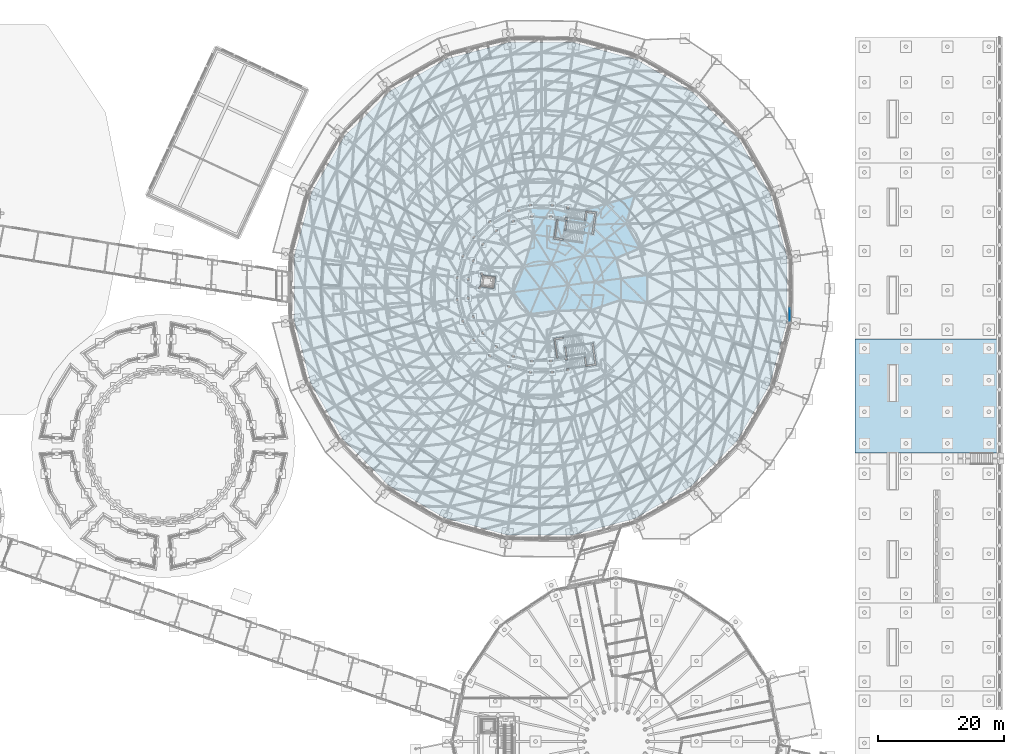
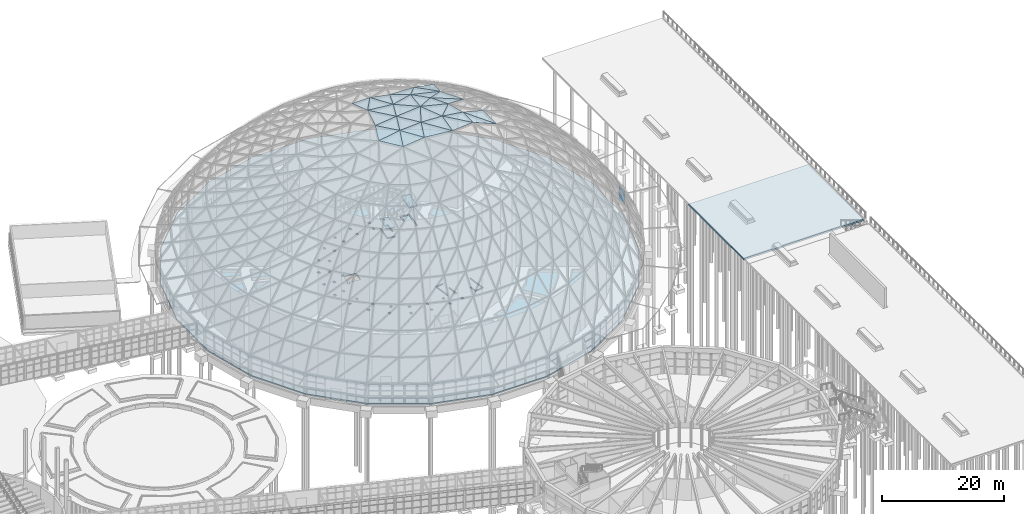
# One storey, part 150 of 226: 34 plates, 4 slabs, 2 elements without a shape of their own.
"""IFC4 building model written with IfcOpenShell, lengths in metres."""

from ifc_helpers import new_model, si_unit, direction, frame, origin, origin_2d, place, context, subcontext, project, spatial, polyline, rectangle, outline, extrude, material, layer, layer_set, type_object, element, aggregate, save


model = new_model("IFC4")

# Units and contexts
model_context = context("Model", 3, precision=1e-05, world=origin(), true_north=direction((0.0, 1.0)))
body_context = subcontext(model_context, "Body", "Model", "MODEL_VIEW")
ifc_project = project(units=[si_unit("LENGTHUNIT", "METRE"), si_unit("AREAUNIT", "SQUARE_METRE"), si_unit("VOLUMEUNIT", "CUBIC_METRE"), si_unit("PLANEANGLEUNIT", "RADIAN"), si_unit("MASSUNIT", "GRAM", prefix="KILO")], contexts=[model_context])

# Site, building, storey
site_placement = place(None, origin())
site = spatial("IfcSite", under=ifc_project, at=site_placement, CompositionType="ELEMENT")
building_placement = place(site_placement, origin())
building = spatial("IfcBuilding", under=site, at=building_placement, Name="Ceibo Conservatory and Research Tower", CompositionType="ELEMENT")
storey_placement = place(building_placement, origin())
storey = spatial("IfcBuildingStorey", under=building, at=storey_placement, Name="L00", CompositionType="ELEMENT", Elevation=0.0)

# Curtain wall, plates
ifc_material_1 = material(Name="Aluminium and glass", Category="aluminium")
curtain_wall_type = type_object("IfcCurtainWallType", Name="Drum curtain wall", PredefinedType="NOTDEFINED", material=ifc_material_1)
curtain_wall_placement = place(storey_placement, origin())
curtain_wall = element("IfcCurtainWall", 1, at=curtain_wall_placement, inside=storey, type_object=curtain_wall_type, Name="Drum curtain wall A-CW24", PredefinedType="NOTDEFINED")
ifc_material_2 = material(Name="Laminated glass", Category="glass")
ifc_layer_1 = layer(ifc_material_2, 0.028076171875)
ifc_layer_set_1 = layer_set([ifc_layer_1], Name="Laminated glass")
plate_type_1 = type_object("IfcPlateType", Name="Drum glass 28", PredefinedType="CURTAIN_PANEL", material=ifc_layer_set_1)
plate_1_placement = place(storey_placement, frame((195.639892578125, 103.82763671875, 1.56005859375), z_axis=(0.0, 0.0, 1.0), x_axis=(0.004363300488, 0.999990480759, 0.0)))
plate_1 = element("IfcPlate", 2, at=plate_1_placement, type_object=plate_type_1, Name="A-CW24 panel 1.2", PredefinedType="CURTAIN_PANEL", context=body_context, shape_type="SweptSolid", body=[
    extrude(rectangle(XDim=1.917236328125, YDim=0.028076171875, at=origin_2d()), origin(), (0.0, 0.0, 1.0), 1.425048828125),
])
plate_2_placement = place(storey_placement, frame((195.639892578125, 103.82763671875, 3.044921875), z_axis=(0.0, 0.0, 1.0), x_axis=(0.004363300488, 0.999990480759, 0.0)))
plate_2 = element("IfcPlate", 3, at=plate_2_placement, type_object=plate_type_1, Name="A-CW24 panel 1.3", PredefinedType="CURTAIN_PANEL", context=body_context, shape_type="SweptSolid", body=[
    extrude(rectangle(XDim=1.917236328125, YDim=0.028076171875, at=origin_2d()), origin(), (0.0, 0.0, 1.0), 1.233154296875),
])
aggregate(curtain_wall, [plate_1, plate_2])

# Plates
ifc_layer_2 = layer(ifc_material_2, 0.035888671875)
ifc_layer_set_2 = layer_set([ifc_layer_2], Name="Laminated glass")
plate_type_2 = type_object("IfcPlateType", Name="Gridshell roof glass 36", PredefinedType="SHEET", material=ifc_layer_set_2)
plate_3_placement = place(storey_placement, frame((169.621826171875, 118.358154296875, 23.970458984375), z_axis=(0.280574696783, 0.278177914319, 0.918637516929), x_axis=(0.272270859832, 0.894701250833, -0.354087913722)))
element("IfcPlate", 4, at=plate_3_placement, inside=storey, type_object=plate_type_2, Name="Glass panel A-P07-009", PredefinedType="SHEET", context=body_context, shape_type="SweptSolid", body=[
    extrude(outline(polyline([(0.0, 0.0), (5.033977817517217, 2.7755575615628914e-16), (1.9819537514928032, 4.0035523826701045), (0.0, 0.0)])), origin(), (0.0, 0.0, -1.0), 0.035888671875),
])
plate_4_placement = place(storey_placement, frame((171.838134765625, 114.47998046875, 23.970458984375), z_axis=(0.280222225681, 0.160142106688, 0.946482968626), x_axis=(-0.496174254635, 0.868222960441, 0.0)))
element("IfcPlate", 5, at=plate_4_placement, inside=storey, type_object=plate_type_2, Name="Glass panel A-P08-003", PredefinedType="SHEET", context=body_context, shape_type="SweptSolid", body=[
    extrude(outline(polyline([(0.0, 0.0), (4.4667948267055895, 0.0), (3.9257333306844853, 4.343421019620243), (0.0, 0.0)])), origin(), (0.0, 0.0, -1.0), 0.035888671875),
])
plate_5_placement = place(storey_placement, frame((171.838134765625, 114.47998046875, 23.970458984375), z_axis=(0.280226818783, 0.160166188226, 0.946477533903), x_axis=(-0.942346514413, 0.233772659519, 0.239443919186)))
element("IfcPlate", 6, at=plate_5_placement, inside=storey, type_object=plate_type_2, Name="Glass panel A-P08-004", PredefinedType="SHEET", context=body_context, shape_type="SweptSolid", body=[
    extrude(outline(polyline([(0.0, 0.0), (5.854629649886153, 0.0), (3.5844452227327084, 2.511450265825249), (0.0, 0.0)])), origin(), (0.0, 0.0, -1.0), 0.035888671875),
])
plate_6_placement = place(storey_placement, frame((169.621826171875, 118.358154296875, 23.970458984375), z_axis=(0.229185552401, 0.227227756778, 0.946489053883), x_axis=(-0.704067152629, 0.710133399151, 0.0)))
element("IfcPlate", 7, at=plate_6_placement, inside=storey, type_object=plate_type_2, Name="Glass panel A-P08-005", PredefinedType="SHEET", context=body_context, shape_type="SweptSolid", body=[
    extrude(outline(polyline([(0.0, 0.0), (4.467277957978424, 0.0), (3.9262131880664084, 4.343661189431718), (0.0, 0.0)])), origin(), (0.0, 0.0, -1.0), 0.035888671875),
])
plate_7_placement = place(storey_placement, frame((169.621826171875, 118.358154296875, 23.970458984375), z_axis=(0.229182227726, 0.227272957923, 0.946479006155), x_axis=(-0.970745019789, -0.018179838866, 0.239423474233)))
element("IfcPlate", 8, at=plate_7_placement, inside=storey, type_object=plate_type_2, Name="Glass panel A-P08-006", PredefinedType="SHEET", context=body_context, shape_type="SweptSolid", body=[
    extrude(outline(polyline([(0.0, 0.0), (5.855129590941772, 0.0), (3.58547676276656, 2.5104601330864784), (0.0, 0.0)])), origin(), (0.0, 0.0, -1.0), 0.035888671875),
])
plate_8_placement = place(storey_placement, frame((166.4765625, 121.530517578125, 23.970458984375), z_axis=(0.162573652914, 0.27880077906, 0.946488210689), x_axis=(-0.93297049984, -0.268778897965, 0.239424206037)))
element("IfcPlate", 9, at=plate_8_placement, inside=storey, type_object=plate_type_2, Name="Glass panel A-P08-008", PredefinedType="SHEET", context=body_context, shape_type="SweptSolid", body=[
    extrude(outline(polyline([(0.0, 0.0), (5.8551116946469035, -3.3306690738754696e-16), (3.5853275507998097, 2.511089398506384), (0.0, 0.0)])), origin(), (0.0, 0.0, -1.0), 0.035888671875),
])
plate_9_placement = place(storey_placement, frame((172.955810546875, 105.6923828125, 23.970458984375), z_axis=(0.322756351752, -0.001446309681, 0.946480980048), x_axis=(0.004481074196, 0.999989959937, 0.0)))
element("IfcPlate", 10, at=plate_9_placement, inside=storey, type_object=plate_type_2, Name="Glass panel A-P08-047", PredefinedType="SHEET", context=body_context, shape_type="SweptSolid", body=[
    extrude(outline(polyline([(0.0, 0.0), (4.467574151602624, 0.0), (3.9249775739560993, 4.343342544376458), (0.0, 0.0)])), origin(), (0.0, 0.0, -1.0), 0.035888671875),
])
plate_10_placement = place(storey_placement, frame((172.955810546875, 105.6923828125, 23.970458984375), z_axis=(0.322778631304, -0.001420496105, 0.946473421373), x_axis=(-0.699217028571, 0.673610488219, 0.239467027201)))
element("IfcPlate", 11, at=plate_10_placement, inside=storey, type_object=plate_type_2, Name="Glass panel A-P08-048", PredefinedType="SHEET", context=body_context, shape_type="SweptSolid", body=[
    extrude(outline(polyline([(0.0, 0.0), (5.85406469163511, 1.1102230246251565e-16), (3.58495757775191, 2.51058865895238), (0.0, 0.0)])), origin(), (0.0, 0.0, -1.0), 0.035888671875),
])
plate_11_placement = place(storey_placement, frame((164.637939453125, 109.0986328125, 26.382568359375), z_axis=(0.232700869188, -0.001024078567, 0.972547817201), x_axis=(0.812461035575, -0.549446623896, -0.194975570679)))
element("IfcPlate", 12, at=plate_11_placement, inside=storey, type_object=plate_type_2, Name="Glass panel A-P09-001", PredefinedType="SHEET", context=body_context, shape_type="SweptSolid", body=[
    extrude(outline(polyline([(0.0, 0.0), (5.1814383860208935, 1.6653345369377348e-16), (3.3341924068572713, 2.8354161601428967), (0.0, 0.0)])), origin(), (0.0, 0.0, -1.0), 0.035888671875),
])
plate_12_placement = place(storey_placement, frame((164.637939453125, 109.0986328125, 26.382568359375), z_axis=(0.225040671261, 0.059226529113, 0.972547641264), x_axis=(0.965226729685, 0.122717221758, -0.230819938016)))
element("IfcPlate", 13, at=plate_12_placement, inside=storey, type_object=plate_type_2, Name="Glass panel A-P09-002", PredefinedType="SHEET", context=body_context, shape_type="SweptSolid", body=[
    extrude(outline(polyline([(0.0, 0.0), (4.376805205528819, -2.42861286636753e-17), (3.946929741051306, 3.3577530192227703), (0.0, 0.0)])), origin(), (0.0, 0.0, -1.0), 0.035888671875),
])
plate_13_placement = place(storey_placement, frame((164.637939453125, 109.0986328125, 26.382568359375), z_axis=(0.200378975737, 0.081980678663, 0.976282456264), x_axis=(0.648988792081, 0.735394994961, -0.194955762006)))
element("IfcPlate", 14, at=plate_13_placement, inside=storey, type_object=plate_type_2, Name="Glass panel A-P09-003", PredefinedType="SHEET", context=body_context, shape_type="SweptSolid", body=[
    extrude(outline(polyline([(0.0, 0.0), (5.1819648511828955, -5.551115123125783e-17), (1.9604909252094407, 4.059439169561636), (0.0, 0.0)])), origin(), (0.0, 0.0, -1.0), 0.035888671875),
])
plate_14_placement = place(storey_placement, frame((162.930908203125, 113.27099609375, 26.382568359375), z_axis=(0.202023436168, 0.115468333273, 0.972550047684), x_axis=(0.978330392526, -0.069769697661, -0.194940586713)))
element("IfcPlate", 15, at=plate_14_placement, inside=storey, type_object=plate_type_2, Name="Glass panel A-P09-004", PredefinedType="SHEET", context=body_context, shape_type="SweptSolid", body=[
    extrude(outline(polyline([(0.0, 0.0), (5.182368245030267, 8.326672684688674e-17), (3.333772341437619, 2.836161659042764), (0.0, 0.0)])), origin(), (0.0, 0.0, -1.0), 0.035888671875),
])
plate_15_placement = place(storey_placement, frame((162.930908203125, 113.27099609375, 26.382568359375), z_axis=(0.165232239754, 0.163855724092, 0.97254799811), x_axis=(0.774539940036, 0.588909166563, -0.230811340333)))
element("IfcPlate", 16, at=plate_15_placement, inside=storey, type_object=plate_type_2, Name="Glass panel A-P09-005", PredefinedType="SHEET", context=body_context, shape_type="SweptSolid", body=[
    extrude(outline(polyline([(0.0, 0.0), (4.376968240775648, 4.163336342344337e-16), (3.9463892788109454, 3.35683419277356), (0.0, 0.0)])), origin(), (0.0, 0.0, -1.0), 0.035888671875),
])
plate_16_placement = place(storey_placement, frame((162.930908203125, 113.27099609375, 26.382568359375), z_axis=(0.132529555833, 0.171224573506, 0.976277656335), x_axis=(0.194381060272, 0.961349820756, -0.194993655129)))
element("IfcPlate", 17, at=plate_16_placement, inside=storey, type_object=plate_type_2, Name="Glass panel A-P09-006", PredefinedType="SHEET", context=body_context, shape_type="SweptSolid", body=[
    extrude(outline(polyline([(0.0, 0.0), (5.1809578397906, 1.3877787807814457e-16), (1.9591594010891797, 4.058707914424515), (0.0, 0.0)])), origin(), (0.0, 0.0, -1.0), 0.035888671875),
])
plate_17_placement = place(storey_placement, frame((159.366943359375, 116.029541015625, 26.382568359375), z_axis=(0.117219514593, 0.201022068481, 0.972548051966), x_axis=(0.882100999692, 0.428824616738, -0.194954544503)))
element("IfcPlate", 18, at=plate_17_placement, inside=storey, type_object=plate_type_2, Name="Glass panel A-P09-007", PredefinedType="SHEET", context=body_context, shape_type="SweptSolid", body=[
    extrude(outline(polyline([(0.0, 0.0), (5.18199721287373, -2.7755575615628914e-17), (3.3338496176575814, 2.8358139031409664), (0.0, 0.0)])), origin(), (0.0, 0.0, -1.0), 0.035888671875),
])
plate_18_placement = place(storey_placement, frame((159.366943359375, 116.029541015625, 26.382568359375), z_axis=(0.061243232273, 0.224496978591, 0.972548391138), x_axis=(0.376295921406, 0.897286716829, -0.230820119)))
element("IfcPlate", 19, at=plate_18_placement, inside=storey, type_object=plate_type_2, Name="Glass panel A-P09-008", PredefinedType="SHEET", context=body_context, shape_type="SweptSolid", body=[
    extrude(outline(polyline([(0.0, 0.0), (4.376801773715963, 1.942890293094024e-16), (3.947325451691779, 3.357603990223312), (0.0, 0.0)])), origin(), (0.0, 0.0, -1.0), 0.035888671875),
])
plate_19_placement = place(storey_placement, frame((159.366943359375, 116.029541015625, 26.382568359375), z_axis=(0.029227129669, 0.214523847824, 0.976281359858), x_axis=(-0.312350316208, 0.929748641081, -0.194948055576)))
element("IfcPlate", 20, at=plate_19_placement, inside=storey, type_object=plate_type_2, Name="Glass panel A-P09-009", PredefinedType="SHEET", context=body_context, shape_type="SweptSolid", body=[
    extrude(outline(polyline([(0.0, 0.0), (5.182169697794277, -4.163336342344337e-16), (1.9604817498378337, 4.058082122644022), (0.0, 0.0)])), origin(), (0.0, 0.0, -1.0), 0.035888671875),
])
plate_20_placement = place(storey_placement, frame((154.9013671875, 116.637939453125, 26.382568359375), z_axis=(0.001024078567, 0.232700869188, 0.972547817201), x_axis=(0.549446623896, 0.812461035575, -0.194975570679)))
element("IfcPlate", 21, at=plate_20_placement, inside=storey, type_object=plate_type_2, Name="Glass panel A-P09-010", PredefinedType="SHEET", context=body_context, shape_type="SweptSolid", body=[
    extrude(outline(polyline([(0.0, 0.0), (5.1814383860208935, 1.6653345369377348e-16), (3.3341924068572713, 2.8354161601428967), (0.0, 0.0)])), origin(), (0.0, 0.0, -1.0), 0.035888671875),
])
plate_21_placement = place(storey_placement, frame((164.029541015625, 104.633056640625, 26.382568359375), z_axis=(0.214523847824, -0.029227129669, 0.976281359858), x_axis=(0.929748641081, 0.312350316208, -0.194948055576)))
element("IfcPlate", 22, at=plate_21_placement, inside=storey, type_object=plate_type_2, Name="Glass panel A-P09-036", PredefinedType="SHEET", context=body_context, shape_type="SweptSolid", body=[
    extrude(outline(polyline([(0.0, 0.0), (5.182169697794277, -4.163336342344337e-16), (1.9604817498378337, 4.058082122644022), (0.0, 0.0)])), origin(), (0.0, 0.0, -1.0), 0.035888671875),
])
plate_22_placement = place(storey_placement, frame((160.337158203125, 108.55126953125, 26.9921875), z_axis=(0.142742651212, -0.019447525385, 0.989568759249), x_axis=(0.681468159821, -0.723147480624, -0.112511636807)))
element("IfcPlate", 23, at=plate_22_placement, inside=storey, type_object=plate_type_2, Name="Glass panel A-P10-001", PredefinedType="SHEET", context=body_context, shape_type="SweptSolid", body=[
    extrude(outline(polyline([(0.0, 0.0), (5.41827634833456, 6.245004513516506e-16), (2.6036103537476896, 3.5198259253103026), (0.0, 0.0)])), origin(), (0.0, 0.0, -1.0), 0.035888671875),
])
plate_23_placement = place(storey_placement, frame((160.337158203125, 108.55126953125, 26.9921875), z_axis=(0.13332547823, 0.054547205605, 0.989570067866), x_axis=(0.982334485209, 0.125022361253, -0.139242121342)))
element("IfcPlate", 24, at=plate_23_placement, inside=storey, type_object=plate_type_2, Name="Glass panel A-P10-002", PredefinedType="SHEET", context=body_context, shape_type="SweptSolid", body=[
    extrude(outline(polyline([(0.0, 0.0), (4.3781230474518065, 1.457167719820518e-16), (3.2228860926759895, 4.3575220730961455), (0.0, 0.0)])), origin(), (0.0, 0.0, -1.0), 0.035888671875),
])
plate_24_placement = place(storey_placement, frame((160.337158203125, 108.55126953125, 26.9921875), z_axis=(0.097865829113, 0.074401645337, 0.992414567942), x_axis=(0.478563118058, 0.870819107521, -0.112478549114)))
element("IfcPlate", 25, at=plate_24_placement, inside=storey, type_object=plate_type_2, Name="Glass panel A-P10-003", PredefinedType="SHEET", context=body_context, shape_type="SweptSolid", body=[
    extrude(outline(polyline([(0.0, 0.0), (5.419870236812357, -2.706168622523819e-16), (1.76458254963443, 4.000150806331241), (0.0, 0.0)])), origin(), (0.0, 0.0, -1.0), 0.035888671875),
])
plate_25_placement = place(storey_placement, frame((157.691162109375, 112.03173828125, 26.9921875), z_axis=(0.08818500926, 0.113932628125, 0.989566955991), x_axis=(0.966974343597, 0.228700110339, -0.112502792655)))
element("IfcPlate", 26, at=plate_25_placement, inside=storey, type_object=plate_type_2, Name="Glass panel A-P10-004", PredefinedType="SHEET", context=body_context, shape_type="SweptSolid", body=[
    extrude(outline(polyline([(0.0, 0.0), (5.418702293854778, 2.8449465006019636e-16), (2.6033192564739007, 3.5192376797136538), (0.0, 0.0)])), origin(), (0.0, 0.0, -1.0), 0.035888671875),
])
plate_26_placement = place(storey_placement, frame((157.691162109375, 112.03173828125, 26.9921875), z_axis=(0.019447945154, 0.142745732271, 0.98956830656), x_axis=(0.382818972003, 0.913266414124, -0.139262670905)))
element("IfcPlate", 27, at=plate_26_placement, inside=storey, type_object=plate_type_2, Name="Glass panel A-P10-005", PredefinedType="SHEET", context=body_context, shape_type="SweptSolid", body=[
    extrude(outline(polyline([(0.0, 0.0), (4.377477012783066, 3.157196726277789e-16), (3.2235995926394914, 4.356614064253687), (0.0, 0.0)])), origin(), (0.0, 0.0, -1.0), 0.035888671875),
])
plate_27_placement = place(storey_placement, frame((157.691162109375, 112.03173828125, 26.9921875), z_axis=(-0.015500980668, 0.121955235418, 0.992414550555), x_axis=(-0.514763662489, 0.849920890888, -0.112484892381)))
element("IfcPlate", 28, at=plate_27_placement, inside=storey, type_object=plate_type_2, Name="Glass panel A-P10-006", PredefinedType="SHEET", context=body_context, shape_type="SweptSolid", body=[
    extrude(outline(polyline([(0.0, 0.0), (5.419564598611084, 4.0939474033052647e-16), (1.7640759503141719, 4.000359410920752), (0.0, 0.0)])), origin(), (0.0, 0.0, -1.0), 0.035888671875),
])
plate_28_placement = place(storey_placement, frame((158.64599609375, 104.51953125, 26.9921875), z_axis=(0.113381222488, -0.047559145463, 0.992412628935), x_axis=(0.993431581636, 0.020948967641, -0.112493703657)))
element("IfcPlate", 29, at=plate_28_placement, inside=storey, type_object=plate_type_2, Name="Glass panel A-P10-018", PredefinedType="SHEET", context=body_context, shape_type="SweptSolid", body=[
    extrude(outline(polyline([(0.0, 0.0), (5.419140101231839, -2.42861286636753e-17), (1.7645146039122093, 4.000178878658171), (0.0, 0.0)])), origin(), (0.0, 0.0, -1.0), 0.035888671875),
])
plate_29_placement = place(storey_placement, frame((160.337158203125, 108.55126953125, 26.9921875), z_axis=(0.042798913115, 0.032537501427, 0.998553736179), x_axis=(-0.60520502334, 0.796069645021, 0.0)))
element("IfcPlate", 30, at=plate_29_placement, inside=storey, type_object=plate_type_2, Name="Glass panel A-P11-001", PredefinedType="SHEET", context=body_context, shape_type="SweptSolid", body=[
    extrude(outline(polyline([(0.0, 0.0), (4.372065649995071, 0.0), (2.1860209914991833, 3.791795016637572), (0.0, 0.0)])), origin(), (0.0, 0.0, -1.0), 0.035888671875),
])
plate_30_placement = place(storey_placement, frame((157.691162109375, 112.03173828125, 26.9921875), z_axis=(-0.006778896372, 0.053333522609, 0.998553745138), x_axis=(-0.992018879348, -0.126089424687, 0.0)))
element("IfcPlate", 31, at=plate_30_placement, inside=storey, type_object=plate_type_2, Name="Glass panel A-P11-002", PredefinedType="SHEET", context=body_context, shape_type="SweptSolid", body=[
    extrude(outline(polyline([(0.0, 0.0), (4.37205207826017, 0.0), (2.1860243009092057, 3.7918067531152415), (0.0, 0.0)])), origin(), (0.0, 0.0, -1.0), 0.035888671875),
])
plate_31_placement = place(storey_placement, frame((153.35400390625, 111.48046875, 26.9921875), z_axis=(-0.049577809483, 0.020796020727, 0.998553737327), x_axis=(-0.386810930375, -0.922159044928, 0.0)))
element("IfcPlate", 32, at=plate_31_placement, inside=storey, type_object=plate_type_2, Name="Glass panel A-P11-003", PredefinedType="SHEET", context=body_context, shape_type="SweptSolid", body=[
    extrude(outline(polyline([(0.0, 0.0), (4.372063911779242, 0.0), (2.1860455276088526, 3.7917965197966095), (0.0, 0.0)])), origin(), (0.0, 0.0, -1.0), 0.035888671875),
])
plate_32_placement = place(storey_placement, frame((151.662841796875, 107.44873046875, 26.9921875), z_axis=(-0.042798913115, -0.032537501427, 0.998553736179), x_axis=(0.60520502334, -0.796069645021, 0.0)))
element("IfcPlate", 33, at=plate_32_placement, inside=storey, type_object=plate_type_2, Name="Glass panel A-P11-004", PredefinedType="SHEET", context=body_context, shape_type="SweptSolid", body=[
    extrude(outline(polyline([(0.0, 0.0), (4.372065649995071, 0.0), (2.1860209914991833, 3.791795016637572), (0.0, 0.0)])), origin(), (0.0, 0.0, -1.0), 0.035888671875),
])
plate_33_placement = place(storey_placement, frame((154.308837890625, 103.96826171875, 26.9921875), z_axis=(0.006778896372, -0.053333522609, 0.998553745138), x_axis=(0.992018879348, 0.126089424687, 0.0)))
element("IfcPlate", 34, at=plate_33_placement, inside=storey, type_object=plate_type_2, Name="Glass panel A-P11-005", PredefinedType="SHEET", context=body_context, shape_type="SweptSolid", body=[
    extrude(outline(polyline([(0.0, 0.0), (4.37205207826017, 0.0), (2.1860243009092057, 3.7918067531152415), (0.0, 0.0)])), origin(), (0.0, 0.0, -1.0), 0.035888671875),
])
plate_34_placement = place(storey_placement, frame((158.64599609375, 104.51953125, 26.9921875), z_axis=(0.049577809483, -0.020796020727, 0.998553737327), x_axis=(0.386810930375, 0.922159044928, 0.0)))
element("IfcPlate", 35, at=plate_34_placement, inside=storey, type_object=plate_type_2, Name="Glass panel A-P11-006", PredefinedType="SHEET", context=body_context, shape_type="SweptSolid", body=[
    extrude(outline(polyline([(0.0, 0.0), (4.372063911779242, 0.0), (2.1860455276088526, 3.7917965197966095), (0.0, 0.0)])), origin(), (0.0, 0.0, -1.0), 0.035888671875),
])

# Slabs
ifc_material_3 = material(Name="Concrete C35/45", Category="concrete")
ifc_layer_3 = layer(ifc_material_3, 0.25)
ifc_layer_set_3 = layer_set([ifc_layer_3], Name="Concrete C35/45")
slab_type_1 = type_object("IfcSlabType", Name="RC ground slab 250", PredefinedType="BASESLAB", material=ifc_layer_set_3)
slab_1_placement = place(storey_placement, frame((0.0, 0.0, -0.25)))
element("IfcSlab", 36, at=slab_1_placement, inside=storey, type_object=slab_type_1, Name="Conservatory ground slab A", PredefinedType="BASESLAB", context=body_context, shape_type="SweptSolid", body=[
    extrude(outline(polyline([(195.135009765625, 102.674072265625), (195.179931640625, 112.984375), (192.554931640625, 122.955078125), (187.438720703125, 131.906494140625), (180.179931640625, 139.228759765625), (171.2734375, 144.4228515625), (161.325927734375, 147.135009765625), (151.015625, 147.179931640625), (141.044921875, 144.554931640625), (132.093505859375, 139.438720703125), (124.771240234375, 132.179931640625), (119.5771484375, 123.2734375), (116.864990234375, 113.325927734375), (116.820068359375, 103.015625), (119.445068359375, 93.044921875), (124.561279296875, 84.093505859375), (131.820068359375, 76.771240234375), (140.7265625, 71.5771484375), (150.674072265625, 68.864990234375), (160.984375, 68.820068359375), (170.955078125, 71.445068359375), (179.906494140625, 76.561279296875), (187.228759765625, 83.820068359375), (192.4228515625, 92.7265625), (195.135009765625, 102.674072265625)]), holes=[polyline([(145.196533203125, 99.60693359375), (145.196533203125, 100.007080078125), (145.596435546875, 100.007080078125), (145.596435546875, 99.60693359375), (145.196533203125, 99.60693359375)]), polyline([(146.620849609375, 100.70751953125), (146.620849609375, 101.107421875), (147.020751953125, 101.107421875), (147.020751953125, 100.70751953125), (146.620849609375, 100.70751953125)]), polyline([(143.430419921875, 102.647216796875), (143.430419921875, 103.047119140625), (143.830322265625, 103.047119140625), (143.830322265625, 102.647216796875), (143.430419921875, 102.647216796875)]), polyline([(145.092041015625, 103.7392578125), (145.491943359375, 103.7392578125), (145.491943359375, 103.33935546875), (145.092041015625, 103.33935546875), (145.092041015625, 103.7392578125)]), polyline([(142.515869140625, 106.442138671875), (142.915771484375, 106.442138671875), (142.915771484375, 106.0419921875), (142.515869140625, 106.0419921875), (142.515869140625, 106.442138671875)]), polyline([(144.30029296875, 106.278076171875), (144.30029296875, 106.67822265625), (144.7001953125, 106.67822265625), (144.7001953125, 106.278076171875), (144.30029296875, 106.278076171875)]), polyline([(146.132080078125, 107.91943359375), (146.132080078125, 108.3193359375), (146.408935546875, 108.3193359375), (146.6572265625, 110.194580078125), (148.838134765625, 109.906005859375), (148.5888671875, 108.0224609375), (146.531982421875, 108.294677734375), (146.531982421875, 107.91943359375), (146.132080078125, 107.91943359375)]), polyline([(144.30029296875, 109.32177734375), (144.30029296875, 109.721923828125), (144.7001953125, 109.721923828125), (144.7001953125, 109.32177734375), (144.30029296875, 109.32177734375)]), polyline([(142.515869140625, 109.9580078125), (142.915771484375, 109.9580078125), (142.915771484375, 109.557861328125), (142.515869140625, 109.557861328125), (142.515869140625, 109.9580078125)]), polyline([(146.433837890625, 110.599609375), (146.833740234375, 110.599609375), (146.833740234375, 110.199462890625), (146.433837890625, 110.199462890625), (146.433837890625, 110.599609375)]), polyline([(145.092041015625, 112.2607421875), (145.092041015625, 112.66064453125), (145.491943359375, 112.66064453125), (145.491943359375, 112.2607421875), (145.092041015625, 112.2607421875)]), polyline([(143.430419921875, 112.952880859375), (143.430419921875, 113.352783203125), (143.830322265625, 113.352783203125), (143.830322265625, 112.952880859375), (143.430419921875, 112.952880859375)]), polyline([(146.620849609375, 114.892578125), (146.620849609375, 115.29248046875), (147.020751953125, 115.29248046875), (147.020751953125, 114.892578125), (146.620849609375, 114.892578125)]), polyline([(145.196533203125, 116.39306640625), (145.596435546875, 116.39306640625), (145.596435546875, 115.992919921875), (145.196533203125, 115.992919921875), (145.196533203125, 116.39306640625)]), polyline([(154.149169921875, 94.902099609375), (154.549072265625, 94.902099609375), (154.549072265625, 94.502197265625), (154.149169921875, 94.502197265625), (154.149169921875, 94.902099609375)]), polyline([(150.746826171875, 95.38916015625), (150.746826171875, 95.789306640625), (151.14697265625, 95.789306640625), (151.14697265625, 95.38916015625), (150.746826171875, 95.38916015625)]), polyline([(154.370849609375, 96.288330078125), (154.370849609375, 96.6884765625), (154.770751953125, 96.6884765625), (154.770751953125, 96.288330078125), (154.370849609375, 96.288330078125)]), polyline([(151.42578125, 97.056396484375), (151.42578125, 97.456298828125), (151.82568359375, 97.456298828125), (151.82568359375, 97.056396484375), (151.42578125, 97.056396484375)]), polyline([(147.692626953125, 97.53076171875), (148.092529296875, 97.53076171875), (148.092529296875, 97.130859375), (147.692626953125, 97.130859375), (147.692626953125, 97.53076171875)]), polyline([(148.78173828125, 98.964111328125), (149.181640625, 98.964111328125), (149.181640625, 98.56396484375), (148.78173828125, 98.56396484375), (148.78173828125, 98.964111328125)]), polyline([(148.78173828125, 117.035888671875), (148.78173828125, 117.43603515625), (149.181640625, 117.43603515625), (149.181640625, 117.035888671875), (148.78173828125, 117.035888671875)]), polyline([(147.692626953125, 118.46923828125), (147.692626953125, 118.869140625), (148.092529296875, 118.869140625), (148.092529296875, 118.46923828125), (147.692626953125, 118.46923828125)]), polyline([(151.42578125, 118.943603515625), (151.82568359375, 118.943603515625), (151.82568359375, 118.543701171875), (151.42578125, 118.543701171875), (151.42578125, 118.943603515625)]), polyline([(157.414306640625, 119.68701171875), (157.814453125, 119.68701171875), (157.814453125, 119.287109375), (157.414306640625, 119.287109375), (157.414306640625, 119.68701171875)]), polyline([(154.370849609375, 119.3115234375), (154.370849609375, 119.711669921875), (154.770751953125, 119.711669921875), (154.770751953125, 119.3115234375), (154.370849609375, 119.3115234375)]), polyline([(150.746826171875, 120.210693359375), (150.746826171875, 120.61083984375), (151.14697265625, 120.61083984375), (151.14697265625, 120.210693359375), (150.746826171875, 120.210693359375)]), polyline([(154.149169921875, 121.097900390625), (154.149169921875, 121.497802734375), (154.549072265625, 121.497802734375), (154.549072265625, 121.097900390625), (154.149169921875, 121.097900390625)]), polyline([(157.6650390625, 94.930419921875), (158.06494140625, 94.930419921875), (158.06494140625, 94.530517578125), (157.6650390625, 94.530517578125), (157.6650390625, 94.930419921875)]), polyline([(160.140625, 95.2783203125), (160.54052734375, 95.2783203125), (160.54052734375, 94.87841796875), (160.140625, 94.87841796875), (160.140625, 95.2783203125)]), polyline([(157.414306640625, 96.31298828125), (157.414306640625, 96.712890625), (157.814453125, 96.712890625), (157.814453125, 96.31298828125), (157.414306640625, 96.31298828125)]), polyline([(159.89013671875, 96.660888671875), (159.89013671875, 97.060791015625), (160.2900390625, 97.060791015625), (160.2900390625, 96.660888671875), (159.89013671875, 96.660888671875)]), polyline([(163.16943359375, 97.15234375), (163.350341796875, 95.864990234375), (164.617919921875, 96.04296875), (164.15869140625, 99.310791015625), (164.37646484375, 99.341552734375), (164.866455078125, 95.855712890625), (164.658447265625, 95.82666015625), (163.379638671875, 95.646728515625), (163.379638671875, 95.646728515625), (163.1630859375, 95.616455078125), (162.95166015625, 97.12158203125), (163.16943359375, 97.15234375)]), polyline([(160.0390625, 98.73193359375), (160.250732421875, 97.226806640625), (160.032958984375, 97.196044921875), (159.8212890625, 98.701416015625), (160.0390625, 98.73193359375)]), polyline([(158.54736328125, 96.9873046875), (158.11328125, 100.076904296875), (158.22216796875, 100.09228515625), (159.618408203125, 100.28857421875), (159.649169921875, 100.07080078125), (158.36181640625, 99.8896484375), (158.765380859375, 97.01806640625), (158.54736328125, 96.9873046875)]), polyline([(158.36181640625, 116.1103515625), (159.649169921875, 115.92919921875), (159.618408203125, 115.71142578125), (158.22216796875, 115.90771484375), (158.11328125, 115.923095703125), (158.54736328125, 119.0126953125), (158.765380859375, 118.98193359375), (158.36181640625, 116.1103515625)]), polyline([(160.032958984375, 118.803955078125), (160.250732421875, 118.773193359375), (160.0390625, 117.26806640625), (159.8212890625, 117.298583984375), (160.032958984375, 118.803955078125)]), polyline([(162.95166015625, 118.87841796875), (163.1630859375, 120.383544921875), (163.37109375, 120.354248046875), (164.64697265625, 120.175048828125), (164.64697265625, 120.175048828125), (164.866455078125, 120.144287109375), (164.37646484375, 116.658447265625), (164.15869140625, 116.689208984375), (164.617919921875, 119.95703125), (163.350341796875, 120.135009765625), (163.16943359375, 118.84765625), (162.95166015625, 118.87841796875)]), polyline([(159.89013671875, 118.939208984375), (159.89013671875, 119.339111328125), (160.2900390625, 119.339111328125), (160.2900390625, 118.939208984375), (159.89013671875, 118.939208984375)]), polyline([(160.140625, 121.12158203125), (160.54052734375, 121.12158203125), (160.54052734375, 120.7216796875), (160.140625, 120.7216796875), (160.140625, 121.12158203125)]), polyline([(157.6650390625, 121.469482421875), (158.06494140625, 121.469482421875), (158.06494140625, 121.069580078125), (157.6650390625, 121.069580078125), (157.6650390625, 121.469482421875)])]), origin(), (0.0, 0.0, 1.0), 0.25),
])
ifc_layer_4 = layer(ifc_material_3, 0.300048828125)
ifc_layer_set_4 = layer_set([ifc_layer_4], Name="Concrete C35/45")
slab_type_2 = type_object("IfcSlabType", Name="RC quay deck slab 300", PredefinedType="BASESLAB", material=ifc_layer_set_4)
slab_2_placement = place(storey_placement, frame((0.0, 0.0, -0.449951171875)))
element("IfcSlab", 37, at=slab_2_placement, inside=storey, type_object=slab_type_2, Name="Quay deck slab S1", PredefinedType="BASESLAB", context=body_context, shape_type="SweptSolid", body=[
    extrude(outline(polyline([(228.60009765625, 81.89990234375), (228.60009765625, 100.0), (206.0, 100.0), (206.0, 81.89990234375), (228.60009765625, 81.89990234375)])), origin(), (0.0, 0.0, 1.0), 0.300048828125),
])

# Stair, slabs
stair_type = type_object("IfcStairType", Name="Walkway stair 1500", PredefinedType="TWO_STRAIGHT_RUN_STAIR", material=ifc_material_3)
stair_placement = place(storey_placement, origin())
stair = element("IfcStair", 38, at=stair_placement, inside=storey, type_object=stair_type, Name="Walkway stair 1", PredefinedType="TWO_STRAIGHT_RUN_STAIR")
ifc_layer_5 = layer(ifc_material_3, 0.199951171875)
ifc_layer_set_5 = layer_set([ifc_layer_5], Name="Concrete C35/45")
slab_type_3 = type_object("IfcSlabType", Name="Walkway stair landing 200", PredefinedType="LANDING", material=ifc_layer_set_5)
slab_3_placement = place(storey_placement, frame((160.041259765625, 118.79248046875, 1.800048828125), z_axis=(0.0, 0.0, 1.0), x_axis=(-0.990268068742, 0.13917310096, 0.0)))
slab_3 = element("IfcSlab", 39, at=slab_3_placement, type_object=slab_type_3, Name="WK-ST1 landing 1", PredefinedType="LANDING", context=body_context, shape_type="SweptSolid", body=[
    extrude(outline(polyline([(0.0, 0.0), (1.5, 0.0), (1.5, 3.10009765625), (0.0, 3.10009765625), (0.0, 0.0)])), origin(), (0.0, 0.0, 1.0), 0.199951171875),
])
slab_4_placement = place(storey_placement, frame((164.855224609375, 120.1357421875, 3.800048828125), z_axis=(0.0, 0.0, 1.0), x_axis=(-0.990268068742, 0.13917310096, 0.0)))
slab_4 = element("IfcSlab", 40, at=slab_4_placement, type_object=slab_type_3, Name="WK-ST1 landing 2", PredefinedType="LANDING", context=body_context, shape_type="SweptSolid", body=[
    extrude(outline(polyline([(0.0, 0.0), (1.5, 0.0), (1.5, 3.500244140625), (0.0, 3.500244140625), (0.0, 0.0)])), origin(), (0.0, 0.0, 1.0), 0.199951171875),
])
aggregate(stair, [slab_3, slab_4])

save(model, "model.ifc")
